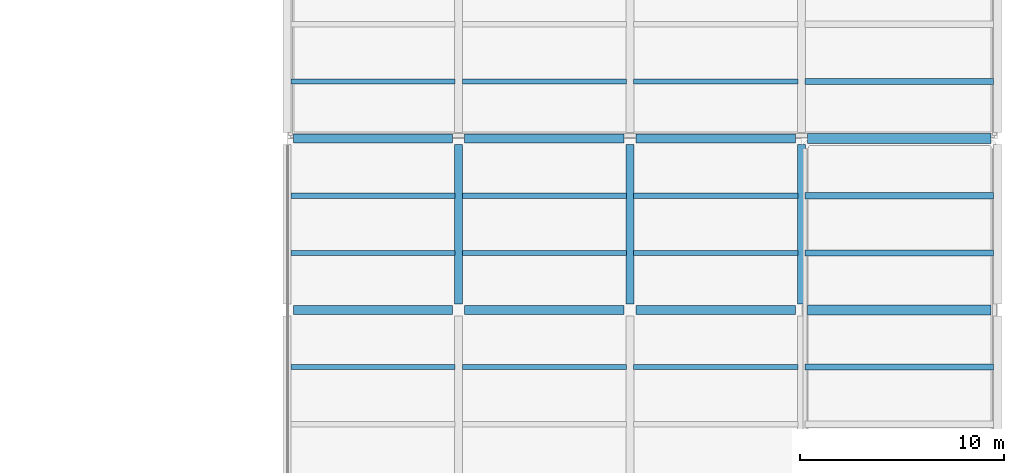
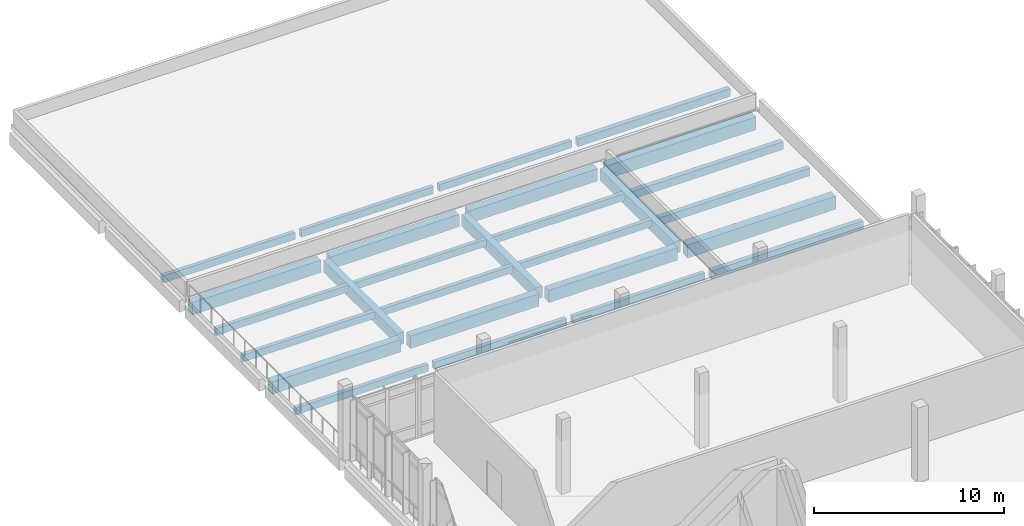
# One storey, part 29 of 63: 27 beams.
"""IFC4 building model written with IfcOpenShell, lengths in metres."""

from ifc_helpers import new_model, si_unit, derived_unit, direction, frame, origin, origin_2d, place, context, subcontext, project, spatial, rectangle, extrude, material, material_profile, profile_set, type_object, element, save


model = new_model("IFC4")

# Units and contexts
model_context = context("Model", 3, precision=1e-05, world=origin(), true_north=direction((0.0, 1.0)))
body_context = subcontext(model_context, "Body", "Model", "MODEL_VIEW")
ifc_project = project(units=[si_unit("LENGTHUNIT", "METRE"), si_unit("AREAUNIT", "SQUARE_METRE"), si_unit("VOLUMEUNIT", "CUBIC_METRE"), si_unit("PLANEANGLEUNIT", "RADIAN"), si_unit("MASSUNIT", "GRAM", prefix="KILO"), derived_unit("THERMALTRANSMITTANCEUNIT", [(si_unit("POWERUNIT", "WATT"), 1), (si_unit("LENGTHUNIT", "METRE"), -2), (si_unit("THERMODYNAMICTEMPERATUREUNIT", "KELVIN"), -1)])], contexts=[model_context])

# Site, building, storey
site_placement = place(None, origin())
site = spatial("IfcSite", under=ifc_project, at=site_placement, CompositionType="ELEMENT")
building_placement = place(site_placement, origin())
building = spatial("IfcBuilding", under=site, at=building_placement, Name="Elbkamm Science Centre", CompositionType="ELEMENT")
storey_placement = place(building_placement, frame((0.0, 0.0, 5.10009765625)))
storey = spatial("IfcBuildingStorey", under=building, at=storey_placement, Name="L01", CompositionType="ELEMENT", Elevation=5.10009765625)

# Beams
ifc_material = material(Name="Concrete C40/50", Category="concrete")
ifc_material_profile_1 = material_profile(ifc_material, rectangle(XDim=0.39990234375, YDim=0.75, at=origin_2d()), Name="RC 400x750")
ifc_profile_set_1 = profile_set([ifc_material_profile_1], Name="Concrete C40/50")
beam_type_1 = type_object("IfcBeamType", Name="BM-RC-400x750", PredefinedType="BEAM", material=ifc_profile_set_1)
for number, where, z_axis, x_axis, name in (
    (1, (134.39990234375, 84.300048828125, -0.625), (0.0, 1.0, 0.0), (-1.0, 0.0, 0.0), "L01 Primary Y-Girder 054"),
    (2, (142.800048828125, 84.300048828125, -0.625), (0.0, 1.0, 0.0), (-1.0, 0.0, 0.0), "L01 Primary Y-Girder 060"),
    (3, (151.199951171875, 84.300048828125, -0.625), (0.0, 1.0, 0.0), (-1.0, 0.0, 0.0), "L01 Primary Y-Girder 070"),
):
    element("IfcBeam", number, at=place(storey_placement, frame(where, z_axis=z_axis, x_axis=x_axis)), inside=storey, type_object=beam_type_1, Name=name, PredefinedType="BEAM", context=body_context, shape_type="SweptSolid", body=[
        extrude(rectangle(XDim=0.39990234375, YDim=0.75, at=origin_2d()), origin(), (0.0, 0.0, 1.0), 7.800048828125),
    ])
ifc_material_profile_2 = material_profile(ifc_material, rectangle(XDim=0.449951171875, YDim=0.800048828125, at=origin_2d()), Name="RC 450x800")
ifc_profile_set_2 = profile_set([ifc_material_profile_2], Name="Concrete C40/50")
beam_type_2 = type_object("IfcBeamType", Name="BM-RC-450x800", PredefinedType="BEAM", material=ifc_profile_set_2)
for number, where, z_axis, x_axis, name in (
    (4, (126.300048828125, 84.0, -0.650146484375), (1.0, 0.0, 0.0), (0.0, 1.0, 0.0), "L01 Primary X-Girder 078"),
    (5, (134.699951171875, 84.0, -0.650146484375), (1.0, 0.0, 0.0), (0.0, 1.0, 0.0), "L01 Primary X-Girder 079"),
):
    element("IfcBeam", number, at=place(storey_placement, frame(where, z_axis=z_axis, x_axis=x_axis)), inside=storey, type_object=beam_type_2, Name=name, PredefinedType="BEAM", context=body_context, shape_type="SweptSolid", body=[
        extrude(rectangle(XDim=0.449951171875, YDim=0.800048828125, at=origin_2d()), origin(), (0.0, 0.0, 1.0), 7.800048828125),
    ])
beam_1_placement = place(storey_placement, frame((143.10009765625, 84.0, -0.650146484375), z_axis=(1.0, 0.0, 0.0), x_axis=(0.0, 1.0, 0.0)))
element("IfcBeam", 6, at=beam_1_placement, inside=storey, type_object=beam_type_2, Name="L01 Primary X-Girder 080", PredefinedType="BEAM", context=body_context, shape_type="SweptSolid", body=[
    extrude(rectangle(XDim=0.449951171875, YDim=0.800048828125, at=origin_2d()), origin(), (0.0, 0.0, 1.0), 7.7998046875),
])
for number, where, z_axis, x_axis, name in (
    (7, (126.300048828125, 92.39990234375, -0.650146484375), (1.0, 0.0, 0.0), (0.0, 1.0, 0.0), "L01 Primary X-Girder 083"),
    (8, (134.699951171875, 92.39990234375, -0.650146484375), (1.0, 0.0, 0.0), (0.0, 1.0, 0.0), "L01 Primary X-Girder 084"),
):
    element("IfcBeam", number, at=place(storey_placement, frame(where, z_axis=z_axis, x_axis=x_axis)), inside=storey, type_object=beam_type_2, Name=name, PredefinedType="BEAM", context=body_context, shape_type="SweptSolid", body=[
        extrude(rectangle(XDim=0.449951171875, YDim=0.800048828125, at=origin_2d()), origin(), (0.0, 0.0, 1.0), 7.800048828125),
    ])
beam_2_placement = place(storey_placement, frame((143.10009765625, 92.39990234375, -0.650146484375), z_axis=(1.0, 0.0, 0.0), x_axis=(0.0, 1.0, 0.0)))
element("IfcBeam", 9, at=beam_2_placement, inside=storey, type_object=beam_type_2, Name="L01 Primary X-Girder 085", PredefinedType="BEAM", context=body_context, shape_type="SweptSolid", body=[
    extrude(rectangle(XDim=0.449951171875, YDim=0.800048828125, at=origin_2d()), origin(), (0.0, 0.0, 1.0), 7.7998046875),
])
ifc_material_profile_3 = material_profile(ifc_material, rectangle(XDim=0.5, YDim=0.85009765625, at=origin_2d()), Name="RC 500x850")
ifc_profile_set_3 = profile_set([ifc_material_profile_3], Name="Concrete C40/50")
beam_type_3 = type_object("IfcBeamType", Name="BM-RC-500x850", PredefinedType="BEAM", material=ifc_profile_set_3)
for number, where, z_axis, x_axis, name in (
    (10, (151.5, 84.0, -0.695068359375), (1.0, 0.0, 0.0), (0.0, 1.0, 0.0), "L01 Primary X-Girder 081"),
    (11, (151.5, 92.39990234375, -0.695068359375), (1.0, 0.0, 0.0), (0.0, 1.0, 0.0), "L01 Primary X-Girder 086"),
):
    element("IfcBeam", number, at=place(storey_placement, frame(where, z_axis=z_axis, x_axis=x_axis)), inside=storey, type_object=beam_type_3, Name=name, PredefinedType="BEAM", context=body_context, shape_type="SweptSolid", body=[
        extrude(rectangle(XDim=0.5, YDim=0.85009765625, at=origin_2d()), origin(), (0.0, 0.0, 1.0), 9.0),
    ])
ifc_material_profile_4 = material_profile(ifc_material, rectangle(XDim=0.25, YDim=0.449951171875, at=origin_2d()), Name="RC 250x450")
ifc_profile_set_4 = profile_set([ifc_material_profile_4], Name="Concrete C40/50")
beam_type_4 = type_object("IfcBeamType", Name="JST-RC-250x450", PredefinedType="JOIST", material=ifc_profile_set_4)
for number, where, z_axis, x_axis, name in (
    (12, (126.179931640625, 81.199951171875, -0.47509765625), (1.0, 0.0, 0.0), (0.0, 1.0, 0.0), "L01 Secondary Floor Joist 066"),
    (13, (126.179931640625, 86.800048828125, -0.47509765625), (1.0, 0.0, 0.0), (0.0, 1.0, 0.0), "L01 Secondary Floor Joist 067"),
    (14, (126.179931640625, 89.60009765625, -0.47509765625), (1.0, 0.0, 0.0), (0.0, 1.0, 0.0), "L01 Secondary Floor Joist 068"),
    (15, (134.580078125, 81.199951171875, -0.47509765625), (1.0, 0.0, 0.0), (0.0, 1.0, 0.0), "L01 Secondary Floor Joist 074"),
    (16, (134.580078125, 86.800048828125, -0.47509765625), (1.0, 0.0, 0.0), (0.0, 1.0, 0.0), "L01 Secondary Floor Joist 075"),
    (17, (134.580078125, 89.60009765625, -0.47509765625), (1.0, 0.0, 0.0), (0.0, 1.0, 0.0), "L01 Secondary Floor Joist 076"),
    (18, (142.97998046875, 81.199951171875, -0.47509765625), (1.0, 0.0, 0.0), (0.0, 1.0, 0.0), "L01 Secondary Floor Joist 082"),
    (19, (142.97998046875, 86.800048828125, -0.47509765625), (1.0, 0.0, 0.0), (0.0, 1.0, 0.0), "L01 Secondary Floor Joist 083"),
    (20, (142.97998046875, 89.60009765625, -0.47509765625), (1.0, 0.0, 0.0), (0.0, 1.0, 0.0), "L01 Secondary Floor Joist 084"),
    (21, (126.179931640625, 95.199951171875, -0.4951171875), (1.0, 0.0, 0.0), (0.0, 1.0, 0.0), "L01 Step-Back Secondary Floor Joist 001"),
    (22, (134.580078125, 95.199951171875, -0.4951171875), (1.0, 0.0, 0.0), (0.0, 1.0, 0.0), "L01 Step-Back Secondary Floor Joist 005"),
    (23, (142.97998046875, 95.199951171875, -0.4951171875), (1.0, 0.0, 0.0), (0.0, 1.0, 0.0), "L01 Step-Back Secondary Floor Joist 009"),
):
    element("IfcBeam", number, at=place(storey_placement, frame(where, z_axis=z_axis, x_axis=x_axis)), inside=storey, type_object=beam_type_4, Name=name, PredefinedType="JOIST", context=body_context, shape_type="SweptSolid", body=[
        extrude(rectangle(XDim=0.25, YDim=0.449951171875, at=origin_2d()), origin(), (0.0, 0.0, 1.0), 8.0400390625),
    ])
ifc_material_profile_5 = material_profile(ifc_material, rectangle(XDim=0.300048828125, YDim=0.5, at=origin_2d()), Name="RC 300x500")
ifc_profile_set_5 = profile_set([ifc_material_profile_5], Name="Concrete C40/50")
beam_type_5 = type_object("IfcBeamType", Name="JST-RC-300x500", PredefinedType="JOIST", material=ifc_profile_set_5)
for number, where, z_axis, x_axis, name in (
    (24, (151.3798828125, 81.199951171875, -0.52001953125), (1.0, 0.0, 0.0), (0.0, 1.0, 0.0), "L01 Step-Back Secondary Floor Joist 014"),
    (25, (151.3798828125, 86.800048828125, -0.52001953125), (1.0, 0.0, 0.0), (0.0, 1.0, 0.0), "L01 Step-Back Secondary Floor Joist 015"),
    (26, (151.3798828125, 89.60009765625, -0.52001953125), (1.0, 0.0, 0.0), (0.0, 1.0, 0.0), "L01 Step-Back Secondary Floor Joist 016"),
    (27, (151.3798828125, 95.199951171875, -0.52001953125), (1.0, 0.0, 0.0), (0.0, 1.0, 0.0), "L01 Step-Back Secondary Floor Joist 017"),
):
    element("IfcBeam", number, at=place(storey_placement, frame(where, z_axis=z_axis, x_axis=x_axis)), inside=storey, type_object=beam_type_5, Name=name, PredefinedType="JOIST", context=body_context, shape_type="SweptSolid", body=[
        extrude(rectangle(XDim=0.300048828125, YDim=0.5, at=origin_2d()), origin(), (0.0, 0.0, 1.0), 9.240234375),
    ])

save(model, "model.ifc")
